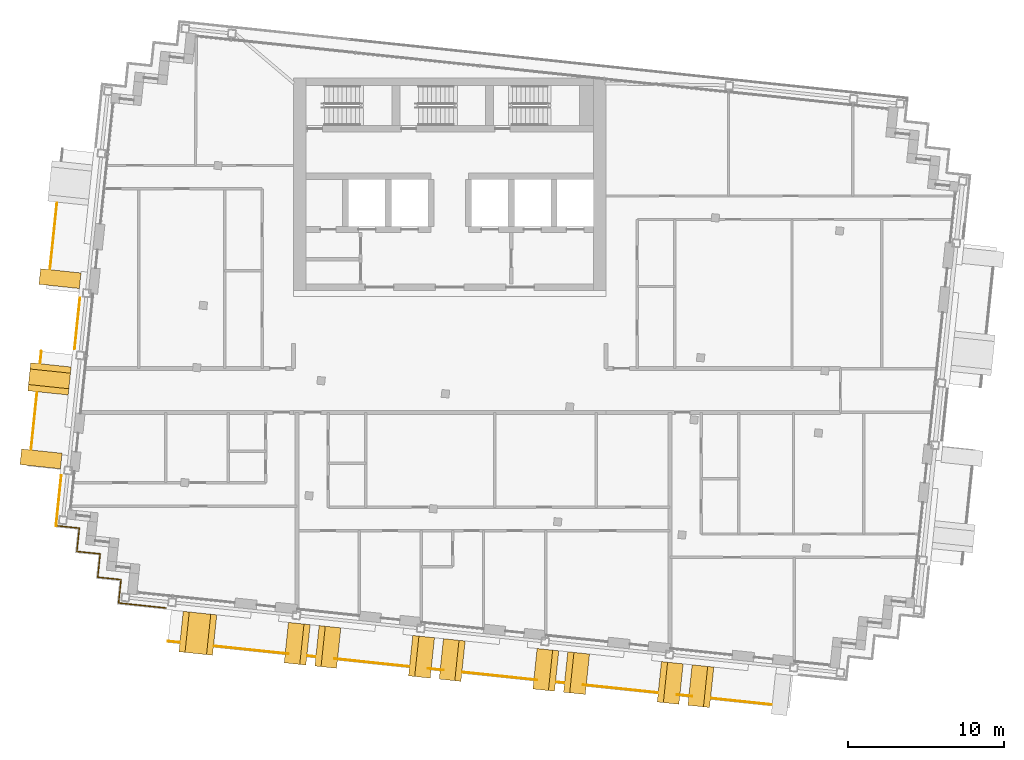
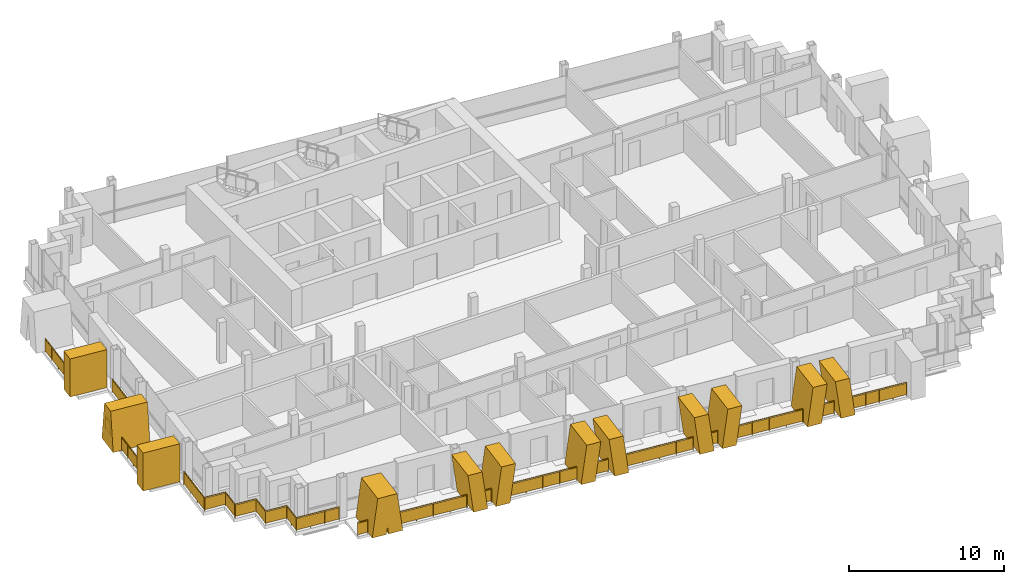
# One storey, part 13 of 16: 16 railings, 12 shading devices.
"""IFC4 building model written with IfcOpenShell, lengths in metres."""

from ifc_helpers import new_model, si_unit, direction, frame, origin, origin_2d, place, context, subcontext, project, spatial, polyline, rectangle, circle, outline, extrude, material, layer, layer_set, type_object, element, save


model = new_model("IFC4")

# Units and contexts
model_context = context("Model", 3, precision=1e-05, world=origin(), true_north=direction((0.0, 1.0)))
body_context = subcontext(model_context, "Body", "Model", "MODEL_VIEW")
ifc_project = project(units=[si_unit("LENGTHUNIT", "METRE"), si_unit("AREAUNIT", "SQUARE_METRE"), si_unit("VOLUMEUNIT", "CUBIC_METRE"), si_unit("PLANEANGLEUNIT", "RADIAN"), si_unit("MASSUNIT", "GRAM", prefix="KILO")], contexts=[model_context])

# Site, building, storey
site_placement = place(None, origin())
site = spatial("IfcSite", under=ifc_project, at=site_placement, CompositionType="ELEMENT")
building_placement = place(site_placement, origin())
building = spatial("IfcBuilding", under=site, at=building_placement, Name="Vidyagriha Tower", CompositionType="ELEMENT")
storey_placement = place(building_placement, frame((0.0, 0.0, 259.5)))
storey = spatial("IfcBuildingStorey", under=building, at=storey_placement, Name="L67", CompositionType="ELEMENT", Elevation=259.5)

# Railings
ifc_material_1 = material(Name="Steel ASTM A500 Grade C black painted", Category="steel")
railing_type_1 = type_object("IfcRailingType", Name="Balcony guard 1100", PredefinedType="BALUSTRADE", material=ifc_material_1)
railing_1_placement = place(storey_placement, frame((-25.136962890625, 12.004150390625, 0.0)))
element("IfcRailing", 1, at=railing_1_placement, inside=storey, type_object=railing_type_1, Name="Balcony guard L67 R14.1-2", PredefinedType="BALUSTRADE", context=body_context, shape_type="SweptSolid", body=[
    extrude(circle(Radius=0.02490234375, at=origin_2d()), frame((0.0, 0.0, 1.0751953125), z_axis=(-0.104547233792, -0.994519922328, 0.0), x_axis=(0.994519922328, -0.104547233792, 0.0)), (0.0, 0.0, 1.0), 4.25),
    extrude(circle(Radius=0.02001953125, at=origin_2d()), origin(), (0.0, 0.0, 1.0), 1.050048828125),
    extrude(circle(Radius=0.02001953125, at=origin_2d()), frame((-0.111083984375, -1.056640625, 0.0)), (0.0, 0.0, 1.0), 1.050048828125),
    extrude(circle(Radius=0.02001953125, at=origin_2d()), frame((-0.22216796875, -2.11328125, 0.0)), (0.0, 0.0, 1.0), 1.050048828125),
    extrude(circle(Radius=0.02001953125, at=origin_2d()), frame((-0.333251953125, -3.170166015625, 0.0)), (0.0, 0.0, 1.0), 1.050048828125),
    extrude(circle(Radius=0.02001953125, at=origin_2d()), frame((-0.4443359375, -4.226806640625, 0.0)), (0.0, 0.0, 1.0), 1.050048828125),
    extrude(rectangle(XDim=0.010009765625, YDim=0.900146484375, at=origin_2d()), frame((0.0, 0.0, 0.550048828125), z_axis=(-0.104547233792, -0.994519922328, 0.0), x_axis=(0.994519922328, -0.104547233792, 0.0)), (0.0, 0.0, 1.0), 4.25),
])
railing_2_placement = place(storey_placement, frame((-26.13525390625, 2.50634765625, 0.0)))
element("IfcRailing", 2, at=railing_2_placement, inside=storey, type_object=railing_type_1, Name="Balcony guard L67 R14.2-1", PredefinedType="BALUSTRADE", context=body_context, shape_type="SweptSolid", body=[
    extrude(circle(Radius=0.02490234375, at=origin_2d()), frame((0.0, 0.0, 1.0751953125), z_axis=(-0.104498377516, -0.994525057048, 0.0), x_axis=(0.994525057048, -0.104498377516, 0.0)), (0.0, 0.0, 1.0), 0.75),
    extrude(circle(Radius=0.02001953125, at=origin_2d()), origin(), (0.0, 0.0, 1.0), 1.050048828125),
    extrude(circle(Radius=0.02001953125, at=origin_2d()), frame((-0.078369140625, -0.745849609375, 0.0)), (0.0, 0.0, 1.0), 1.050048828125),
    extrude(rectangle(XDim=0.010009765625, YDim=0.900146484375, at=origin_2d()), frame((0.0, 0.0, 0.550048828125), z_axis=(-0.104498377516, -0.994525057048, 0.0), x_axis=(0.994525057048, -0.104498377516, 0.0)), (0.0, 0.0, 1.0), 0.75),
])
railing_3_placement = place(storey_placement, frame((-26.412353515625, -0.129150390625, 0.0)))
element("IfcRailing", 3, at=railing_3_placement, inside=storey, type_object=railing_type_1, Name="Balcony guard L67 R14.2-2", PredefinedType="BALUSTRADE", context=body_context, shape_type="SweptSolid", body=[
    extrude(circle(Radius=0.02490234375, at=origin_2d()), frame((0.0, 0.0, 1.0751953125), z_axis=(-0.104548987786, -0.99451973794, 0.0), x_axis=(0.99451973794, -0.104548987786, 0.0)), (0.0, 0.0, 1.0), 3.64990234375),
    extrude(circle(Radius=0.02001953125, at=origin_2d()), origin(), (0.0, 0.0, 1.0), 1.050048828125),
    extrude(circle(Radius=0.02001953125, at=origin_2d()), frame((-0.095458984375, -0.907470703125, 0.0)), (0.0, 0.0, 1.0), 1.050048828125),
    extrude(circle(Radius=0.02001953125, at=origin_2d()), frame((-0.19091796875, -1.81494140625, 0.0)), (0.0, 0.0, 1.0), 1.050048828125),
    extrude(circle(Radius=0.02001953125, at=origin_2d()), frame((-0.2861328125, -2.722412109375, 0.0)), (0.0, 0.0, 1.0), 1.050048828125),
    extrude(circle(Radius=0.02001953125, at=origin_2d()), frame((-0.381591796875, -3.6298828125, 0.0)), (0.0, 0.0, 1.0), 1.050048828125),
    extrude(rectangle(XDim=0.010009765625, YDim=0.900146484375, at=origin_2d()), frame((0.0, 0.0, 0.550048828125), z_axis=(-0.104548987786, -0.99451973794, 0.0), x_axis=(0.99451973794, -0.104548987786, 0.0)), (0.0, 0.0, 1.0), 3.64990234375),
])
railing_4_placement = place(storey_placement, frame((-18.02978515625, -16.04248046875, 0.0)))
element("IfcRailing", 4, at=railing_4_placement, inside=storey, type_object=railing_type_1, Name="Balcony guard L67 R21.1-1", PredefinedType="BALUSTRADE", context=body_context, shape_type="SweptSolid", body=[
    extrude(circle(Radius=0.02490234375, at=origin_2d()), frame((0.0, 0.0, 1.0751953125), z_axis=(0.994518424492, -0.104561481173, 0.0), x_axis=(0.104561481173, 0.994518424492, 0.0)), (0.0, 0.0, 1.0), 0.721435546875),
    extrude(circle(Radius=0.02001953125, at=origin_2d()), origin(), (0.0, 0.0, 1.0), 1.050048828125),
    extrude(circle(Radius=0.02001953125, at=origin_2d()), frame((0.717529296875, -0.075439453125, 0.0)), (0.0, 0.0, 1.0), 1.050048828125),
    extrude(rectangle(XDim=0.010009765625, YDim=0.900146484375, at=origin_2d()), frame((0.0, 0.0, 0.550048828125), z_axis=(0.994518424492, -0.104561481173, 0.0), x_axis=(0.104561481173, 0.994518424492, 0.0)), (0.0, 0.0, 1.0), 0.721435546875),
])
railing_5_placement = place(storey_placement, frame((-15.0673828125, -16.353759765625, 0.0)))
element("IfcRailing", 5, at=railing_5_placement, inside=storey, type_object=railing_type_1, Name="Balcony guard L67 R21.1-2", PredefinedType="BALUSTRADE", context=body_context, shape_type="SweptSolid", body=[
    extrude(circle(Radius=0.02490234375, at=origin_2d()), frame((0.0, 0.0, 1.0751953125), z_axis=(0.994520635237, -0.104540451925, 0.0), x_axis=(0.104540451925, 0.994520635237, 0.0)), (0.0, 0.0, 1.0), 4.7548828125),
    extrude(circle(Radius=0.02001953125, at=origin_2d()), origin(), (0.0, 0.0, 1.0), 1.050048828125),
    extrude(circle(Radius=0.02001953125, at=origin_2d()), frame((1.18212890625, -0.124267578125, 0.0)), (0.0, 0.0, 1.0), 1.050048828125),
    extrude(circle(Radius=0.02001953125, at=origin_2d()), frame((2.3642578125, -0.24853515625, 0.0)), (0.0, 0.0, 1.0), 1.050048828125),
    extrude(circle(Radius=0.02001953125, at=origin_2d()), frame((3.546630859375, -0.372802734375, 0.0)), (0.0, 0.0, 1.0), 1.050048828125),
    extrude(circle(Radius=0.02001953125, at=origin_2d()), frame((4.728759765625, -0.4970703125, 0.0)), (0.0, 0.0, 1.0), 1.050048828125),
    extrude(rectangle(XDim=0.010009765625, YDim=0.900146484375, at=origin_2d()), frame((0.0, 0.0, 0.550048828125), z_axis=(0.994520635237, -0.104540451925, 0.0), x_axis=(0.104540451925, 0.994520635237, 0.0)), (0.0, 0.0, 1.0), 4.7548828125),
])
railing_6_placement = place(storey_placement, frame((-9.093994140625, -16.981689453125, 0.0)))
element("IfcRailing", 6, at=railing_6_placement, inside=storey, type_object=railing_type_1, Name="Balcony guard L67 R21.1-3", PredefinedType="BALUSTRADE", context=body_context, shape_type="SweptSolid", body=[
    extrude(circle(Radius=0.02490234375, at=origin_2d()), frame((0.0, 0.0, 1.0751953125), z_axis=(0.994494297851, -0.104790703508, 0.0), x_axis=(0.104790703508, 0.994494297851, 0.0)), (0.0, 0.0, 1.0), 0.47998046875),
    extrude(circle(Radius=0.02001953125, at=origin_2d()), origin(), (0.0, 0.0, 1.0), 1.050048828125),
    extrude(circle(Radius=0.02001953125, at=origin_2d()), frame((0.477294921875, -0.05029296875, 0.0)), (0.0, 0.0, 1.0), 1.050048828125),
    extrude(rectangle(XDim=0.010009765625, YDim=0.900146484375, at=origin_2d()), frame((0.0, 0.0, 0.550048828125), z_axis=(0.994494297851, -0.104790703508, 0.0), x_axis=(0.104790703508, 0.994494297851, 0.0)), (0.0, 0.0, 1.0), 0.47998046875),
])
railing_7_placement = place(storey_placement, frame((-7.3720703125, -17.16259765625, 0.0)))
element("IfcRailing", 7, at=railing_7_placement, inside=storey, type_object=railing_type_1, Name="Balcony guard L67 R21.1-4", PredefinedType="BALUSTRADE", context=body_context, shape_type="SweptSolid", body=[
    extrude(circle(Radius=0.02490234375, at=origin_2d()), frame((0.0, 0.0, 1.0751953125), z_axis=(0.994521134852, -0.10453569884, 0.0), x_axis=(0.10453569884, 0.994521134852, 0.0)), (0.0, 0.0, 1.0), 4.773681640625),
    extrude(circle(Radius=0.02001953125, at=origin_2d()), origin(), (0.0, 0.0, 1.0), 1.050048828125),
    extrude(circle(Radius=0.02001953125, at=origin_2d()), frame((1.18701171875, -0.124755859375, 0.0)), (0.0, 0.0, 1.0), 1.050048828125),
    extrude(circle(Radius=0.02001953125, at=origin_2d()), frame((2.373779296875, -0.24951171875, 0.0)), (0.0, 0.0, 1.0), 1.050048828125),
    extrude(circle(Radius=0.02001953125, at=origin_2d()), frame((3.560546875, -0.374267578125, 0.0)), (0.0, 0.0, 1.0), 1.050048828125),
    extrude(circle(Radius=0.02001953125, at=origin_2d()), frame((4.74755859375, -0.4990234375, 0.0)), (0.0, 0.0, 1.0), 1.050048828125),
    extrude(rectangle(XDim=0.010009765625, YDim=0.900146484375, at=origin_2d()), frame((0.0, 0.0, 0.550048828125), z_axis=(0.994521134852, -0.10453569884, 0.0), x_axis=(0.10453569884, 0.994521134852, 0.0)), (0.0, 0.0, 1.0), 4.773681640625),
])
railing_8_placement = place(storey_placement, frame((-1.380126953125, -17.79248046875, 0.0)))
element("IfcRailing", 8, at=railing_8_placement, inside=storey, type_object=railing_type_1, Name="Balcony guard L67 R21.1-5", PredefinedType="BALUSTRADE", context=body_context, shape_type="SweptSolid", body=[
    extrude(circle(Radius=0.02490234375, at=origin_2d()), frame((0.0, 0.0, 1.0751953125), z_axis=(0.99452479944, -0.10450082918, 0.0), x_axis=(0.10450082918, 0.99452479944, 0.0)), (0.0, 0.0, 1.0), 0.96728515625),
    extrude(circle(Radius=0.02001953125, at=origin_2d()), origin(), (0.0, 0.0, 1.0), 1.050048828125),
    extrude(circle(Radius=0.02001953125, at=origin_2d()), frame((0.9619140625, -0.10107421875, 0.0)), (0.0, 0.0, 1.0), 1.050048828125),
    extrude(rectangle(XDim=0.010009765625, YDim=0.900146484375, at=origin_2d()), frame((0.0, 0.0, 0.550048828125), z_axis=(0.99452479944, -0.10450082918, 0.0), x_axis=(0.10450082918, 0.99452479944, 0.0)), (0.0, 0.0, 1.0), 0.96728515625),
])
railing_9_placement = place(storey_placement, frame((0.826416015625, -18.0244140625, 0.0)))
element("IfcRailing", 9, at=railing_9_placement, inside=storey, type_object=railing_type_1, Name="Balcony guard L67 R21.1-6", PredefinedType="BALUSTRADE", context=body_context, shape_type="SweptSolid", body=[
    extrude(circle(Radius=0.02490234375, at=origin_2d()), frame((0.0, 0.0, 1.0751953125), z_axis=(0.994520575937, -0.104541016056, 0.0), x_axis=(0.104541016056, 0.994520575937, 0.0)), (0.0, 0.0, 1.0), 4.7734375),
    extrude(circle(Radius=0.02001953125, at=origin_2d()), origin(), (0.0, 0.0, 1.0), 1.050048828125),
    extrude(circle(Radius=0.02001953125, at=origin_2d()), frame((1.186767578125, -0.124755859375, 0.0)), (0.0, 0.0, 1.0), 1.050048828125),
    extrude(circle(Radius=0.02001953125, at=origin_2d()), frame((2.37353515625, -0.24951171875, 0.0)), (0.0, 0.0, 1.0), 1.050048828125),
    extrude(circle(Radius=0.02001953125, at=origin_2d()), frame((3.560546875, -0.374267578125, 0.0)), (0.0, 0.0, 1.0), 1.050048828125),
    extrude(circle(Radius=0.02001953125, at=origin_2d()), frame((4.747314453125, -0.4990234375, 0.0)), (0.0, 0.0, 1.0), 1.050048828125),
    extrude(rectangle(XDim=0.010009765625, YDim=0.900146484375, at=origin_2d()), frame((0.0, 0.0, 0.550048828125), z_axis=(0.994520575937, -0.104541016056, 0.0), x_axis=(0.104541016056, 0.994520575937, 0.0)), (0.0, 0.0, 1.0), 4.7734375),
])
railing_10_placement = place(storey_placement, frame((6.818359375, -18.654052734375, 0.0)))
element("IfcRailing", 10, at=railing_10_placement, inside=storey, type_object=railing_type_1, Name="Balcony guard L67 R21.1-7", PredefinedType="BALUSTRADE", context=body_context, shape_type="SweptSolid", body=[
    extrude(circle(Radius=0.02490234375, at=origin_2d()), frame((0.0, 0.0, 1.0751953125), z_axis=(0.994494297851, -0.104790703508, 0.0), x_axis=(0.104790703508, 0.994494297851, 0.0)), (0.0, 0.0, 1.0), 0.47998046875),
    extrude(circle(Radius=0.02001953125, at=origin_2d()), origin(), (0.0, 0.0, 1.0), 1.050048828125),
    extrude(circle(Radius=0.02001953125, at=origin_2d()), frame((0.477294921875, -0.05029296875, 0.0)), (0.0, 0.0, 1.0), 1.050048828125),
    extrude(rectangle(XDim=0.010009765625, YDim=0.900146484375, at=origin_2d()), frame((0.0, 0.0, 0.550048828125), z_axis=(0.994494297851, -0.104790703508, 0.0), x_axis=(0.104790703508, 0.994494297851, 0.0)), (0.0, 0.0, 1.0), 0.47998046875),
])
railing_11_placement = place(storey_placement, frame((8.540283203125, -18.835205078125, 0.0)))
element("IfcRailing", 11, at=railing_11_placement, inside=storey, type_object=railing_type_1, Name="Balcony guard L67 R21.1-8", PredefinedType="BALUSTRADE", context=body_context, shape_type="SweptSolid", body=[
    extrude(circle(Radius=0.02490234375, at=origin_2d()), frame((0.0, 0.0, 1.0751953125), z_axis=(0.994521134852, -0.10453569884, 0.0), x_axis=(0.10453569884, 0.994521134852, 0.0)), (0.0, 0.0, 1.0), 4.773681640625),
    extrude(circle(Radius=0.02001953125, at=origin_2d()), origin(), (0.0, 0.0, 1.0), 1.050048828125),
    extrude(circle(Radius=0.02001953125, at=origin_2d()), frame((1.18701171875, -0.124755859375, 0.0)), (0.0, 0.0, 1.0), 1.050048828125),
    extrude(circle(Radius=0.02001953125, at=origin_2d()), frame((2.373779296875, -0.24951171875, 0.0)), (0.0, 0.0, 1.0), 1.050048828125),
    extrude(circle(Radius=0.02001953125, at=origin_2d()), frame((3.560546875, -0.374267578125, 0.0)), (0.0, 0.0, 1.0), 1.050048828125),
    extrude(circle(Radius=0.02001953125, at=origin_2d()), frame((4.74755859375, -0.4990234375, 0.0)), (0.0, 0.0, 1.0), 1.050048828125),
    extrude(rectangle(XDim=0.010009765625, YDim=0.900146484375, at=origin_2d()), frame((0.0, 0.0, 0.550048828125), z_axis=(0.994521134852, -0.10453569884, 0.0), x_axis=(0.10453569884, 0.994521134852, 0.0)), (0.0, 0.0, 1.0), 4.773681640625),
])
railing_12_placement = place(storey_placement, frame((14.5322265625, -19.46484375, 0.0)))
element("IfcRailing", 12, at=railing_12_placement, inside=storey, type_object=railing_type_1, Name="Balcony guard L67 R21.1-9", PredefinedType="BALUSTRADE", context=body_context, shape_type="SweptSolid", body=[
    extrude(circle(Radius=0.02490234375, at=origin_2d()), frame((0.0, 0.0, 1.0751953125), z_axis=(0.99452479944, -0.10450082918, 0.0), x_axis=(0.10450082918, 0.99452479944, 0.0)), (0.0, 0.0, 1.0), 0.96728515625),
    extrude(circle(Radius=0.02001953125, at=origin_2d()), origin(), (0.0, 0.0, 1.0), 1.050048828125),
    extrude(circle(Radius=0.02001953125, at=origin_2d()), frame((0.9619140625, -0.10107421875, 0.0)), (0.0, 0.0, 1.0), 1.050048828125),
    extrude(rectangle(XDim=0.010009765625, YDim=0.900146484375, at=origin_2d()), frame((0.0, 0.0, 0.550048828125), z_axis=(0.99452479944, -0.10450082918, 0.0), x_axis=(0.10450082918, 0.99452479944, 0.0)), (0.0, 0.0, 1.0), 0.96728515625),
])
railing_13_placement = place(storey_placement, frame((16.73876953125, -19.69677734375, 0.0)))
element("IfcRailing", 13, at=railing_13_placement, inside=storey, type_object=railing_type_1, Name="Balcony guard L67 R21.1-10", PredefinedType="BALUSTRADE", context=body_context, shape_type="SweptSolid", body=[
    extrude(circle(Radius=0.02490234375, at=origin_2d()), frame((0.0, 0.0, 1.0751953125), z_axis=(0.994520326339, -0.104543390504, 0.0), x_axis=(0.104543390504, 0.994520326339, 0.0)), (0.0, 0.0, 1.0), 3.864990234375),
    extrude(circle(Radius=0.02001953125, at=origin_2d()), origin(), (0.0, 0.0, 1.0), 1.050048828125),
    extrude(circle(Radius=0.02001953125, at=origin_2d()), frame((0.9609375, -0.10107421875, 0.0)), (0.0, 0.0, 1.0), 1.050048828125),
    extrude(circle(Radius=0.02001953125, at=origin_2d()), frame((1.921875, -0.2021484375, 0.0)), (0.0, 0.0, 1.0), 1.050048828125),
    extrude(circle(Radius=0.02001953125, at=origin_2d()), frame((2.8828125, -0.302978515625, 0.0)), (0.0, 0.0, 1.0), 1.050048828125),
    extrude(circle(Radius=0.02001953125, at=origin_2d()), frame((3.84375, -0.404052734375, 0.0)), (0.0, 0.0, 1.0), 1.050048828125),
    extrude(rectangle(XDim=0.010009765625, YDim=0.900146484375, at=origin_2d()), frame((0.0, 0.0, 0.550048828125), z_axis=(0.994520326339, -0.104543390504, 0.0), x_axis=(0.104543390504, 0.994520326339, 0.0)), (0.0, 0.0, 1.0), 3.864990234375),
])

# Shading devices
ifc_material_2 = material(Name="Precast concrete C40/50 with buff brick facing", Category="concrete")
ifc_layer_1 = layer(ifc_material_2, 1.0)
ifc_layer_set_1 = layer_set([ifc_layer_1], Name="Precast concrete C40/50 with buff brick facing")
shading_device_type_1 = type_object("IfcShadingDeviceType", Name="Brick-faced blade fin arm leaning 8 degrees", PredefinedType="USERDEFINED", material=ifc_layer_set_1)
shading_device_1_placement = place(storey_placement, frame((-8.49365234375, -16.3408203125, 0.0), z_axis=(0.0, 0.0, 1.0), x_axis=(0.99450928781, -0.104648346667, 0.0)))
element("IfcShadingDevice", 14, at=shading_device_1_placement, inside=storey, type_object=shading_device_type_1, Name="Leaning blade fin L67 R21.1030a", ObjectType="BLADE FIN", PredefinedType="USERDEFINED", context=body_context, shape_type="SweptSolid", body=[
    extrude(outline(polyline([(0.0, 0.0), (1.0, 0.0), (1.39501953125, 3.0), (0.39501953125, 3.0), (0.0, 0.0)])), frame((0.0, 1.300048828125, 0.0), z_axis=(0.0, -1.0, 0.0), x_axis=(1.0, 0.0, 0.0)), (0.0, 0.0, 1.0), 2.60009765625),
])
shading_device_2_placement = place(storey_placement, frame((-10.4580078125, -16.134521484375, 0.0), z_axis=(0.0, 0.0, 1.0), x_axis=(0.9945274857, -0.104475261123, 0.0)))
element("IfcShadingDevice", 15, at=shading_device_2_placement, inside=storey, type_object=shading_device_type_1, Name="Leaning blade fin L67 R21.1030b", ObjectType="BLADE FIN", PredefinedType="USERDEFINED", context=body_context, shape_type="SweptSolid", body=[
    extrude(outline(polyline([(0.39501953125, 0.0), (1.39501953125, 0.0), (1.0, 3.0), (0.0, 3.0), (0.39501953125, 0.0)])), frame((0.0, 1.300048828125, 0.0), z_axis=(0.0, -1.0, 0.0), x_axis=(1.0, 0.0, 0.0)), (0.0, 0.0, 1.0), 2.60009765625),
])
shading_device_3_placement = place(storey_placement, frame((-2.501708984375, -16.970703125, 0.0), z_axis=(0.0, 0.0, 1.0), x_axis=(0.9945274857, -0.104475261123, 0.0)))
element("IfcShadingDevice", 16, at=shading_device_3_placement, inside=storey, type_object=shading_device_type_1, Name="Leaning blade fin L67 R21.1830a", ObjectType="BLADE FIN", PredefinedType="USERDEFINED", context=body_context, shape_type="SweptSolid", body=[
    extrude(outline(polyline([(0.0, 0.0), (1.0, 0.0), (1.39501953125, 3.0), (0.39501953125, 3.0), (0.0, 0.0)])), frame((0.0, 1.300048828125, 0.0), z_axis=(0.0, -1.0, 0.0), x_axis=(1.0, 0.0, 0.0)), (0.0, 0.0, 1.0), 2.60009765625),
])
shading_device_4_placement = place(storey_placement, frame((-0.53759765625, -17.17724609375, 0.0), z_axis=(0.0, 0.0, 1.0), x_axis=(0.9945274857, -0.104475261123, 0.0)))
element("IfcShadingDevice", 17, at=shading_device_4_placement, inside=storey, type_object=shading_device_type_1, Name="Leaning blade fin L67 R21.1830b", ObjectType="BLADE FIN", PredefinedType="USERDEFINED", context=body_context, shape_type="SweptSolid", body=[
    extrude(outline(polyline([(0.39501953125, 0.0), (1.39501953125, 0.0), (1.0, 3.0), (0.0, 3.0), (0.39501953125, 0.0)])), frame((0.0, 1.300048828125, 0.0), z_axis=(0.0, -1.0, 0.0), x_axis=(1.0, 0.0, 0.0)), (0.0, 0.0, 1.0), 2.60009765625),
])
shading_device_5_placement = place(storey_placement, frame((7.418701171875, -18.013427734375, 0.0), z_axis=(0.0, 0.0, 1.0), x_axis=(0.994525575058, -0.104493447432, 0.0)))
element("IfcShadingDevice", 18, at=shading_device_5_placement, inside=storey, type_object=shading_device_type_1, Name="Leaning blade fin L67 R21.2630a", ObjectType="BLADE FIN", PredefinedType="USERDEFINED", context=body_context, shape_type="SweptSolid", body=[
    extrude(outline(polyline([(0.0, 0.0), (1.0, 0.0), (1.39501953125, 3.0), (0.39501953125, 3.0), (0.0, 0.0)])), frame((0.0, 1.300048828125, 0.0), z_axis=(0.0, -1.0, 0.0), x_axis=(1.0, 0.0, 0.0)), (0.0, 0.0, 1.0), 2.60009765625),
])
shading_device_6_placement = place(storey_placement, frame((5.45458984375, -17.806884765625, 0.0), z_axis=(0.0, 0.0, 1.0), x_axis=(0.994507370866, -0.104666562439, 0.0)))
element("IfcShadingDevice", 19, at=shading_device_6_placement, inside=storey, type_object=shading_device_type_1, Name="Leaning blade fin L67 R21.2630b", ObjectType="BLADE FIN", PredefinedType="USERDEFINED", context=body_context, shape_type="SweptSolid", body=[
    extrude(outline(polyline([(0.39501953125, 0.0), (1.39501953125, 0.0), (1.0, 3.0), (0.0, 3.0), (0.39501953125, 0.0)])), frame((0.0, 1.300048828125, 0.0), z_axis=(0.0, -1.0, 0.0), x_axis=(1.0, 0.0, 0.0)), (0.0, 0.0, 1.0), 2.60009765625),
])
shading_device_7_placement = place(storey_placement, frame((13.41064453125, -18.643310546875, 0.0), z_axis=(0.0, 0.0, 1.0), x_axis=(0.9945274857, -0.104475261123, 0.0)))
element("IfcShadingDevice", 20, at=shading_device_7_placement, inside=storey, type_object=shading_device_type_1, Name="Leaning blade fin L67 R21.3430a", ObjectType="BLADE FIN", PredefinedType="USERDEFINED", context=body_context, shape_type="SweptSolid", body=[
    extrude(outline(polyline([(0.0, 0.0), (1.0, 0.0), (1.39501953125, 3.0), (0.39501953125, 3.0), (0.0, 0.0)])), frame((0.0, 1.300048828125, 0.0), z_axis=(0.0, -1.0, 0.0), x_axis=(1.0, 0.0, 0.0)), (0.0, 0.0, 1.0), 2.60009765625),
])
shading_device_8_placement = place(storey_placement, frame((15.374755859375, -18.849609375, 0.0), z_axis=(0.0, 0.0, 1.0), x_axis=(0.9945274857, -0.104475261123, 0.0)))
element("IfcShadingDevice", 21, at=shading_device_8_placement, inside=storey, type_object=shading_device_type_1, Name="Leaning blade fin L67 R21.3430b", ObjectType="BLADE FIN", PredefinedType="USERDEFINED", context=body_context, shape_type="SweptSolid", body=[
    extrude(outline(polyline([(0.39501953125, 0.0), (1.39501953125, 0.0), (1.0, 3.0), (0.0, 3.0), (0.39501953125, 0.0)])), frame((0.0, 1.300048828125, 0.0), z_axis=(0.0, -1.0, 0.0), x_axis=(1.0, 0.0, 0.0)), (0.0, 0.0, 1.0), 2.60009765625),
])
ifc_material_3 = material(Name="Precast concrete C40/50 with buff brick facing", Category="concrete")
ifc_layer_2 = layer(ifc_material_3, 1.0)
ifc_layer_set_2 = layer_set([ifc_layer_2], Name="Precast concrete C40/50 with buff brick facing")
shading_device_type_2 = type_object("IfcShadingDeviceType", Name="Brick-faced blade fin forking 8 degrees", PredefinedType="USERDEFINED", material=ifc_layer_set_2)
shading_device_9_placement = place(storey_placement, frame((-25.522705078125, 1.6376953125, 0.0), z_axis=(0.0, 0.0, 1.0), x_axis=(-0.104564767339, -0.994518078987, 0.0)))
element("IfcShadingDevice", 22, at=shading_device_9_placement, inside=storey, type_object=shading_device_type_2, Name="Forked blade fin L67 R14.1630a", ObjectType="BLADE FIN", PredefinedType="USERDEFINED", context=body_context, shape_type="SweptSolid", body=[
    extrude(outline(polyline([(0.0, 0.0), (1.800048828125, 0.0), (1.39990234375, 3.0), (0.39990234375, 3.0), (0.0, 0.0)])), frame((0.0, 1.300048828125, 0.0), z_axis=(0.0, -1.0, 0.0), x_axis=(1.0, 0.0, 0.0)), (0.0, 0.0, 1.0), 2.60009765625),
])
shading_device_10_placement = place(storey_placement, frame((-17.189453125, -15.427001953125, 0.0), z_axis=(0.0, 0.0, 1.0), x_axis=(0.994517847883, -0.104566965344, 0.0)))
element("IfcShadingDevice", 23, at=shading_device_10_placement, inside=storey, type_object=shading_device_type_2, Name="Forked blade fin L67 R21.230a", ObjectType="BLADE FIN", PredefinedType="USERDEFINED", context=body_context, shape_type="SweptSolid", body=[
    extrude(outline(polyline([(1.0, 0.0), (1.07861328125, 0.611083984375), (1.1572265625, 0.0), (2.1572265625, 0.0), (1.771484375, 3.0), (0.3857421875, 3.0), (0.0, 0.0), (1.0, 0.0)])), frame((0.0, 1.300048828125, 0.0), z_axis=(0.0, -1.0, 0.0), x_axis=(1.0, 0.0, 0.0)), (0.0, 0.0, 1.0), 2.60009765625),
])
ifc_material_4 = material(Name="Precast concrete C40/50 with buff brick facing", Category="concrete")
ifc_layer_3 = layer(ifc_material_4, 1.0)
ifc_layer_set_3 = layer_set([ifc_layer_3], Name="Precast concrete C40/50 with buff brick facing")
shading_device_type_3 = type_object("IfcShadingDeviceType", Name="Brick-faced blade fin stem 1000", PredefinedType="USERDEFINED", material=ifc_layer_set_3)
for number, where, z_axis, x_axis, name in (
    (24, (-24.890380859375, 7.654541015625, 0.0), (0.0, 0.0, 1.0), (-0.104481464157, -0.994526834051, 0.0), "Stem blade fin L67 R14.1230a"),
    (25, (-26.102783203125, -3.882080078125, 0.0), (0.0, 0.0, 1.0), (-0.104748335039, -0.99449876134, 0.0), "Stem blade fin L67 R14.2370a"),
):
    element("IfcShadingDevice", number, at=place(storey_placement, frame(where, z_axis=z_axis, x_axis=x_axis)), inside=storey, type_object=shading_device_type_3, Name=name, ObjectType="BLADE FIN", PredefinedType="USERDEFINED", context=body_context, shape_type="SweptSolid", body=[
        extrude(outline(polyline([(0.0, 0.0), (1.0, 0.0), (1.0, 3.0), (0.0, 3.0), (0.0, 0.0)])), frame((0.0, 1.300048828125, 0.0), z_axis=(0.0, -1.0, 0.0), x_axis=(1.0, 0.0, 0.0)), (0.0, 0.0, 1.0), 2.60009765625),
    ])

# Railings
ifc_material_5 = material(Name="Steel ASTM A500 Grade C black painted", Category="steel")
railing_type_2 = type_object("IfcRailingType", Name="Gallery guard 1100", PredefinedType="GUARDRAIL", material=ifc_material_5)
railing_14_placement = place(storey_placement, frame((-18.168212890625, -13.91650390625, 0.0)))
element("IfcRailing", 26, at=railing_14_placement, inside=storey, type_object=railing_type_2, Name="Gallery guard L67 1", PredefinedType="GUARDRAIL", context=body_context, shape_type="SweptSolid", body=[
    extrude(circle(Radius=0.02490234375, at=origin_2d()), frame((0.0, 0.0, 1.0751953125), z_axis=(-0.994518646122, 0.104559373163, 0.0), x_axis=(-0.104559373163, -0.994518646122, 0.0)), (0.0, 0.0, 1.0), 3.0400390625),
    extrude(circle(Radius=0.02490234375, at=origin_2d()), frame((-3.0234375, 0.31787109375, 1.0751953125), z_axis=(0.104481464157, 0.994526834051, 0.0), x_axis=(-0.994526834051, 0.104481464157, 0.0)), (0.0, 0.0, 1.0), 1.500244140625),
    extrude(circle(Radius=0.02490234375, at=origin_2d()), frame((-2.86669921875, 1.809814453125, 1.0751953125), z_axis=(-0.994525057048, 0.104498377516, 0.0), x_axis=(-0.104498377516, -0.994525057048, 0.0)), (0.0, 0.0, 1.0), 1.5),
    extrude(circle(Radius=0.02490234375, at=origin_2d()), frame((-4.3583984375, 1.966552734375, 1.0751953125), z_axis=(0.104498377516, 0.994525057048, 0.0), x_axis=(-0.994525057048, 0.104498377516, 0.0)), (0.0, 0.0, 1.0), 1.5),
    extrude(circle(Radius=0.02490234375, at=origin_2d()), frame((-4.20166015625, 3.458251953125, 1.0751953125), z_axis=(-0.994525057048, 0.104498377516, 0.0), x_axis=(-0.104498377516, -0.994525057048, 0.0)), (0.0, 0.0, 1.0), 1.5),
    extrude(circle(Radius=0.02490234375, at=origin_2d()), frame((-5.693359375, 3.614990234375, 1.0751953125), z_axis=(0.104498377516, 0.994525057048, 0.0), x_axis=(-0.994525057048, 0.104498377516, 0.0)), (0.0, 0.0, 1.0), 1.5),
    extrude(circle(Radius=0.02490234375, at=origin_2d()), frame((-5.53662109375, 5.106689453125, 1.0751953125), z_axis=(-0.994505452921, 0.104684784518, 0.0), x_axis=(-0.104684784518, -0.994505452921, 0.0)), (0.0, 0.0, 1.0), 1.4599609375),
    extrude(circle(Radius=0.02001953125, at=origin_2d()), origin(), (0.0, 0.0, 1.0), 1.050048828125),
    extrude(circle(Radius=0.02001953125, at=origin_2d()), frame((-1.0078125, 0.10595703125, 0.0)), (0.0, 0.0, 1.0), 1.050048828125),
    extrude(circle(Radius=0.02001953125, at=origin_2d()), frame((-2.015625, 0.2119140625, 0.0)), (0.0, 0.0, 1.0), 1.050048828125),
    extrude(circle(Radius=0.02001953125, at=origin_2d()), frame((-3.0234375, 0.31787109375, 0.0)), (0.0, 0.0, 1.0), 1.050048828125),
    extrude(circle(Radius=0.02001953125, at=origin_2d()), frame((-2.945068359375, 1.06396484375, 0.0)), (0.0, 0.0, 1.0), 1.050048828125),
    extrude(circle(Radius=0.02001953125, at=origin_2d()), frame((-2.86669921875, 1.809814453125, 0.0)), (0.0, 0.0, 1.0), 1.050048828125),
    extrude(circle(Radius=0.02001953125, at=origin_2d()), frame((-4.3583984375, 1.966552734375, 0.0)), (0.0, 0.0, 1.0), 1.050048828125),
    extrude(circle(Radius=0.02001953125, at=origin_2d()), frame((-4.20166015625, 3.458251953125, 0.0)), (0.0, 0.0, 1.0), 1.050048828125),
    extrude(circle(Radius=0.02001953125, at=origin_2d()), frame((-5.693359375, 3.614990234375, 0.0)), (0.0, 0.0, 1.0), 1.050048828125),
    extrude(circle(Radius=0.02001953125, at=origin_2d()), frame((-5.53662109375, 5.106689453125, 0.0)), (0.0, 0.0, 1.0), 1.050048828125),
    extrude(circle(Radius=0.02001953125, at=origin_2d()), frame((-6.988525390625, 5.259521484375, 0.0)), (0.0, 0.0, 1.0), 1.050048828125),
    extrude(rectangle(XDim=0.010009765625, YDim=0.900146484375, at=origin_2d()), frame((0.0, 0.0, 0.550048828125), z_axis=(-0.994518646122, 0.104559373163, 0.0), x_axis=(-0.104559373163, -0.994518646122, 0.0)), (0.0, 0.0, 1.0), 3.0400390625),
    extrude(rectangle(XDim=0.010009765625, YDim=0.900146484375, at=origin_2d()), frame((-3.0234375, 0.31787109375, 0.550048828125), z_axis=(0.104481464157, 0.994526834051, 0.0), x_axis=(-0.994526834051, 0.104481464157, 0.0)), (0.0, 0.0, 1.0), 1.500244140625),
    extrude(rectangle(XDim=0.010009765625, YDim=0.900146484375, at=origin_2d()), frame((-2.86669921875, 1.809814453125, 0.550048828125), z_axis=(-0.994525057048, 0.104498377516, 0.0), x_axis=(-0.104498377516, -0.994525057048, 0.0)), (0.0, 0.0, 1.0), 1.5),
    extrude(rectangle(XDim=0.010009765625, YDim=0.900146484375, at=origin_2d()), frame((-4.3583984375, 1.966552734375, 0.550048828125), z_axis=(0.104498377516, 0.994525057048, 0.0), x_axis=(-0.994525057048, 0.104498377516, 0.0)), (0.0, 0.0, 1.0), 1.5),
    extrude(rectangle(XDim=0.010009765625, YDim=0.900146484375, at=origin_2d()), frame((-4.20166015625, 3.458251953125, 0.550048828125), z_axis=(-0.994525057048, 0.104498377516, 0.0), x_axis=(-0.104498377516, -0.994525057048, 0.0)), (0.0, 0.0, 1.0), 1.5),
    extrude(rectangle(XDim=0.010009765625, YDim=0.900146484375, at=origin_2d()), frame((-5.693359375, 3.614990234375, 0.550048828125), z_axis=(0.104498377516, 0.994525057048, 0.0), x_axis=(-0.994525057048, 0.104498377516, 0.0)), (0.0, 0.0, 1.0), 1.5),
    extrude(rectangle(XDim=0.010009765625, YDim=0.900146484375, at=origin_2d()), frame((-5.53662109375, 5.106689453125, 0.550048828125), z_axis=(-0.994505452921, 0.104684784518, 0.0), x_axis=(-0.104684784518, -0.994505452921, 0.0)), (0.0, 0.0, 1.0), 1.4599609375),
])
railing_15_placement = place(storey_placement, frame((-25.15673828125, -8.656982421875, 0.0)))
element("IfcRailing", 27, at=railing_15_placement, inside=storey, type_object=railing_type_2, Name="Gallery guard L67 2", PredefinedType="GUARDRAIL", context=body_context, shape_type="SweptSolid", body=[
    extrude(circle(Radius=0.02490234375, at=origin_2d()), frame((0.0, 0.0, 1.0751953125), z_axis=(-0.99460530117, 0.103731841226, 0.0), x_axis=(-0.103731841226, -0.99460530117, 0.0)), (0.0, 0.0, 1.0), 0.0400390625),
    extrude(circle(Radius=0.02490234375, at=origin_2d()), frame((-0.039794921875, 0.004150390625, 1.0751953125), z_axis=(0.104516113735, 0.994523193279, 0.0), x_axis=(-0.994523193279, 0.104516113735, 0.0)), (0.0, 0.0, 1.0), 3.239990234375),
    extrude(circle(Radius=0.02001953125, at=origin_2d()), origin(), (0.0, 0.0, 1.0), 1.050048828125),
    extrude(circle(Radius=0.02001953125, at=origin_2d()), frame((-0.039794921875, 0.004150390625, 0.0)), (0.0, 0.0, 1.0), 1.050048828125),
    extrude(circle(Radius=0.02001953125, at=origin_2d()), frame((0.072998046875, 1.078125, 0.0)), (0.0, 0.0, 1.0), 1.050048828125),
    extrude(circle(Radius=0.02001953125, at=origin_2d()), frame((0.18603515625, 2.15234375, 0.0)), (0.0, 0.0, 1.0), 1.050048828125),
    extrude(circle(Radius=0.02001953125, at=origin_2d()), frame((0.298828125, 3.226318359375, 0.0)), (0.0, 0.0, 1.0), 1.050048828125),
    extrude(rectangle(XDim=0.010009765625, YDim=0.900146484375, at=origin_2d()), frame((0.0, 0.0, 0.550048828125), z_axis=(-0.99460530117, 0.103731841226, 0.0), x_axis=(-0.103731841226, -0.99460530117, 0.0)), (0.0, 0.0, 1.0), 0.0400390625),
    extrude(rectangle(XDim=0.010009765625, YDim=0.900146484375, at=origin_2d()), frame((-0.039794921875, 0.004150390625, 0.550048828125), z_axis=(0.104516113735, 0.994523193279, 0.0), x_axis=(-0.994523193279, 0.104516113735, 0.0)), (0.0, 0.0, 1.0), 3.239990234375),
])
railing_16_placement = place(storey_placement, frame((-24.009033203125, 2.64501953125, 0.0)))
element("IfcRailing", 28, at=railing_16_placement, inside=storey, type_object=railing_type_2, Name="Gallery guard L67 3", PredefinedType="GUARDRAIL", context=body_context, shape_type="SweptSolid", body=[
    extrude(circle(Radius=0.02490234375, at=origin_2d()), frame((0.0, 0.0, 1.0751953125), z_axis=(0.104506547029, 0.994524198614, 0.0), x_axis=(-0.994524198614, 0.104506547029, 0.0)), (0.0, 0.0, 1.0), 3.280029296875),
    extrude(circle(Radius=0.02001953125, at=origin_2d()), origin(), (0.0, 0.0, 1.0), 1.050048828125),
    extrude(circle(Radius=0.02001953125, at=origin_2d()), frame((0.1142578125, 1.08740234375, 0.0)), (0.0, 0.0, 1.0), 1.050048828125),
    extrude(circle(Radius=0.02001953125, at=origin_2d()), frame((0.228515625, 2.174560546875, 0.0)), (0.0, 0.0, 1.0), 1.050048828125),
    extrude(circle(Radius=0.02001953125, at=origin_2d()), frame((0.3427734375, 3.261962890625, 0.0)), (0.0, 0.0, 1.0), 1.050048828125),
    extrude(rectangle(XDim=0.010009765625, YDim=0.900146484375, at=origin_2d()), frame((0.0, 0.0, 0.550048828125), z_axis=(0.104506547029, 0.994524198614, 0.0), x_axis=(-0.994524198614, 0.104506547029, 0.0)), (0.0, 0.0, 1.0), 3.280029296875),
])

save(model, "model.ifc")
